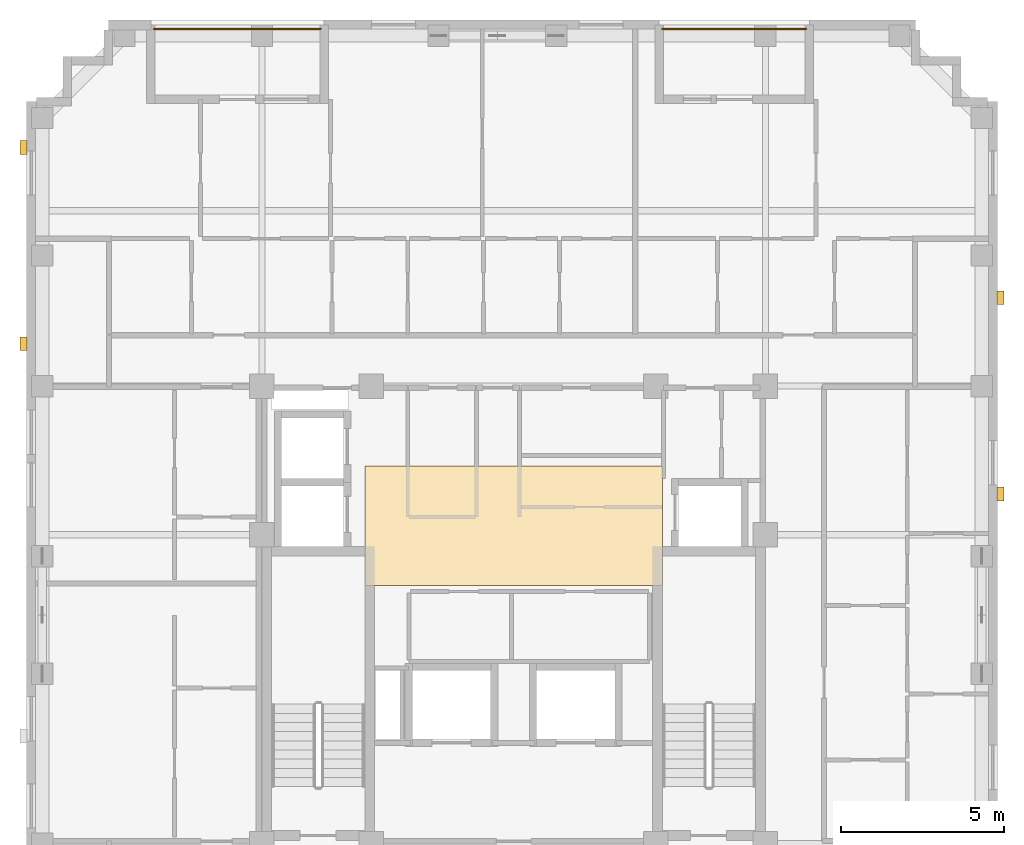
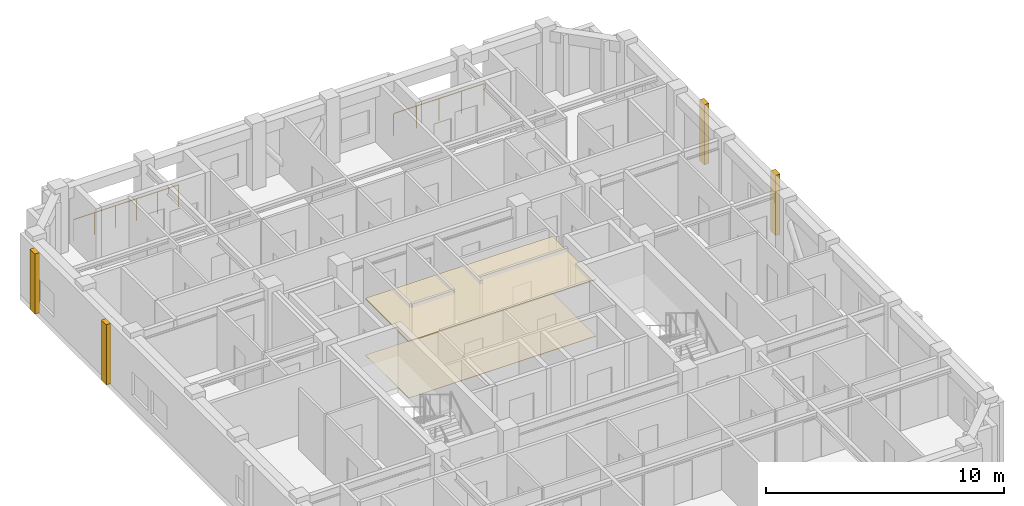
# One storey, part 11 of 11: 6 coverings, 2 railings.
"""IFC4 building model written with IfcOpenShell, lengths in metres."""

from ifc_helpers import new_model, si_unit, derived_unit, direction, frame, origin, origin_2d, place, context, subcontext, project, spatial, polyline, rectangle, circle, outline, extrude, material, layer, layer_set, type_object, element, save


model = new_model("IFC4")

# Units and contexts
model_context = context("Model", 3, precision=1e-05, world=origin(), true_north=direction((0.0, 1.0)))
body_context = subcontext(model_context, "Body", "Model", "MODEL_VIEW")
ifc_project = project(units=[si_unit("LENGTHUNIT", "METRE"), si_unit("AREAUNIT", "SQUARE_METRE"), si_unit("VOLUMEUNIT", "CUBIC_METRE"), si_unit("PLANEANGLEUNIT", "RADIAN"), si_unit("MASSUNIT", "GRAM", prefix="KILO"), derived_unit("THERMALTRANSMITTANCEUNIT", [(si_unit("MASSUNIT", "GRAM", prefix="KILO"), 1), (si_unit("TIMEUNIT", "SECOND"), -3), (si_unit("THERMODYNAMICTEMPERATUREUNIT", "KELVIN"), -1)])], contexts=[model_context])

# Site, building, storey
site_placement = place(None, origin())
site = spatial("IfcSite", under=ifc_project, at=site_placement, CompositionType="ELEMENT")
building_placement = place(site_placement, origin())
building = spatial("IfcBuilding", under=site, at=building_placement, Name="Korrvale Station Residences", CompositionType="ELEMENT")
storey_placement = place(building_placement, frame((0.0, 0.0, 251.300048828125)))
storey = spatial("IfcBuildingStorey", under=building, at=storey_placement, Name="L73", CompositionType="ELEMENT", Elevation=251.300048828125)

# Coverings
ifc_material_1 = material(Name="Perforated acoustic mineral-fibre suspended ceiling", Category="gypsum")
ifc_layer_1 = layer(ifc_material_1, 0.050048828125, Name="Perforated acoustic mineral-fibre suspended ceiling")
ifc_layer_set_1 = layer_set([ifc_layer_1], Name="Perforated acoustic mineral-fibre suspended ceiling")
covering_type_1 = type_object("IfcCoveringType", Name="COV-CLG-AC60", PredefinedType="CEILING", material=ifc_layer_set_1)
covering_1_placement = place(storey_placement, frame((0.0, 0.0, 2.889892578125)))
element("IfcCovering", 1, at=covering_1_placement, inside=storey, type_object=covering_type_1, Name="L73 Elevator Lobby Acoustic Ceiling", PredefinedType="CEILING", context=body_context, shape_type="SweptSolid", body=[
    extrude(outline(polyline([(20.949951171875, 22.89990234375), (30.050048828125, 22.89990234375), (30.050048828125, 26.550048828125), (20.949951171875, 26.550048828125), (20.949951171875, 22.89990234375)])), origin(), (0.0, 0.0, 1.0), 0.050048828125),
])
ifc_material_2 = material(Name="Polished quartz-terrazzo lobby flooring", Category="masonry")
ifc_layer_2 = layer(ifc_material_2, 0.02001953125, Name="Polished quartz-terrazzo lobby flooring")
ifc_layer_set_2 = layer_set([ifc_layer_2], Name="Polished quartz-terrazzo lobby flooring")
covering_type_2 = type_object("IfcCoveringType", Name="COV-FLR-TER20", PredefinedType="FLOORING", material=ifc_layer_set_2)
covering_2_placement = place(storey_placement, origin())
element("IfcCovering", 2, at=covering_2_placement, inside=storey, type_object=covering_type_2, Name="L73 Elevator Lobby Terrazzo Flooring", PredefinedType="FLOORING", context=body_context, shape_type="SweptSolid", body=[
    extrude(outline(polyline([(20.949951171875, 22.89990234375), (30.050048828125, 22.89990234375), (30.050048828125, 26.550048828125), (20.949951171875, 26.550048828125), (20.949951171875, 22.89990234375)])), origin(), (0.0, 0.0, 1.0), 0.02001953125),
])
ifc_material_3 = material(Name="Architectural precast concrete C45/55", Category="concrete")
ifc_layer_3 = layer(ifc_material_3, 0.219970703125, Name="Architectural precast concrete C45/55")
ifc_layer_set_3 = layer_set([ifc_layer_3], Name="Architectural precast concrete C45/55")
covering_type_3 = type_object("IfcCoveringType", Name="COV-PIER-400", PredefinedType="CLADDING", material=ifc_layer_set_3)
for number, where, z_axis, x_axis, name in (
    (3, (10.510009765625, 30.300048828125, 0.02490234375), (0.0, 0.0, 1.0), (0.0, 1.0, 0.0), "L73 Architectural Precast Facade Pier 04"),
    (4, (10.510009765625, 36.300048828125, 0.02490234375), (0.0, 0.0, 1.0), (0.0, 1.0, 0.0), "L73 Architectural Precast Facade Pier 05"),
    (5, (40.389892578125, 31.699951171875, 0.02490234375), (0.0, 0.0, 1.0), (0.0, 1.0, 0.0), "L73 Architectural Precast Facade Pier 06"),
    (6, (40.389892578125, 25.699951171875, 0.02490234375), (0.0, 0.0, 1.0), (0.0, 1.0, 0.0), "L73 Architectural Precast Facade Pier 07"),
):
    element("IfcCovering", number, at=place(storey_placement, frame(where, z_axis=z_axis, x_axis=x_axis)), inside=storey, type_object=covering_type_3, Name=name, PredefinedType="CLADDING", context=body_context, shape_type="SweptSolid", body=[
        extrude(rectangle(XDim=0.419921875, YDim=0.219970703125, at=origin_2d()), origin(), (0.0, 0.0, 1.0), 3.090087890625),
    ])

# Railings
ifc_material_4 = material(Name="Powder-coated aluminium picket loggia guard", Category="aluminium")
railing_type = type_object("IfcRailingType", Name="RLG-BAL-1150", PredefinedType="GUARDRAIL", material=ifc_material_4)
railing_1_placement = place(storey_placement, frame((14.5, 39.929931640625, 0.0)))
element("IfcRailing", 7, at=railing_1_placement, inside=storey, type_object=railing_type, Name="L73 Recessed Loggia Guardrail BAL-L73-N2", PredefinedType="GUARDRAIL", context=body_context, shape_type="SweptSolid", body=[
    extrude(circle(Radius=0.02392578125, at=origin_2d()), frame((0.0, 0.0, 1.1259765625), z_axis=(1.0, 0.0, 0.0), x_axis=(0.0, 1.0, 0.0)), (0.0, 0.0, 1.0), 5.10009765625),
    extrude(circle(Radius=0.02099609375, at=origin_2d()), origin(), (0.0, 0.0, 1.0), 1.101806640625),
    extrude(circle(Radius=0.02099609375, at=origin_2d()), frame((1.02001953125, 0.0, 0.0)), (0.0, 0.0, 1.0), 1.101806640625),
    extrude(circle(Radius=0.02099609375, at=origin_2d()), frame((2.0400390625, 0.0, 0.0)), (0.0, 0.0, 1.0), 1.101806640625),
    extrude(circle(Radius=0.02099609375, at=origin_2d()), frame((3.06005859375, 0.0, 0.0)), (0.0, 0.0, 1.0), 1.101806640625),
    extrude(circle(Radius=0.02099609375, at=origin_2d()), frame((4.080078125, 0.0, 0.0)), (0.0, 0.0, 1.0), 1.101806640625),
    extrude(circle(Radius=0.02099609375, at=origin_2d()), frame((5.10009765625, 0.0, 0.0)), (0.0, 0.0, 1.0), 1.101806640625),
])
railing_2_placement = place(storey_placement, frame((30.050048828125, 39.929931640625, 0.0)))
element("IfcRailing", 8, at=railing_2_placement, inside=storey, type_object=railing_type, Name="L73 Recessed Loggia Guardrail BAL-L73-N1", PredefinedType="GUARDRAIL", context=body_context, shape_type="SweptSolid", body=[
    extrude(circle(Radius=0.02392578125, at=origin_2d()), frame((0.0, 0.0, 1.1259765625), z_axis=(1.0, 0.0, 0.0), x_axis=(0.0, 1.0, 0.0)), (0.0, 0.0, 1.0), 4.39990234375),
    extrude(circle(Radius=0.02099609375, at=origin_2d()), origin(), (0.0, 0.0, 1.0), 1.101806640625),
    extrude(circle(Radius=0.02099609375, at=origin_2d()), frame((1.10009765625, 0.0, 0.0)), (0.0, 0.0, 1.0), 1.101806640625),
    extrude(circle(Radius=0.02099609375, at=origin_2d()), frame((2.199951171875, 0.0, 0.0)), (0.0, 0.0, 1.0), 1.101806640625),
    extrude(circle(Radius=0.02099609375, at=origin_2d()), frame((3.2998046875, 0.0, 0.0)), (0.0, 0.0, 1.0), 1.101806640625),
    extrude(circle(Radius=0.02099609375, at=origin_2d()), frame((4.39990234375, 0.0, 0.0)), (0.0, 0.0, 1.0), 1.101806640625),
])

save(model, "model.ifc")
